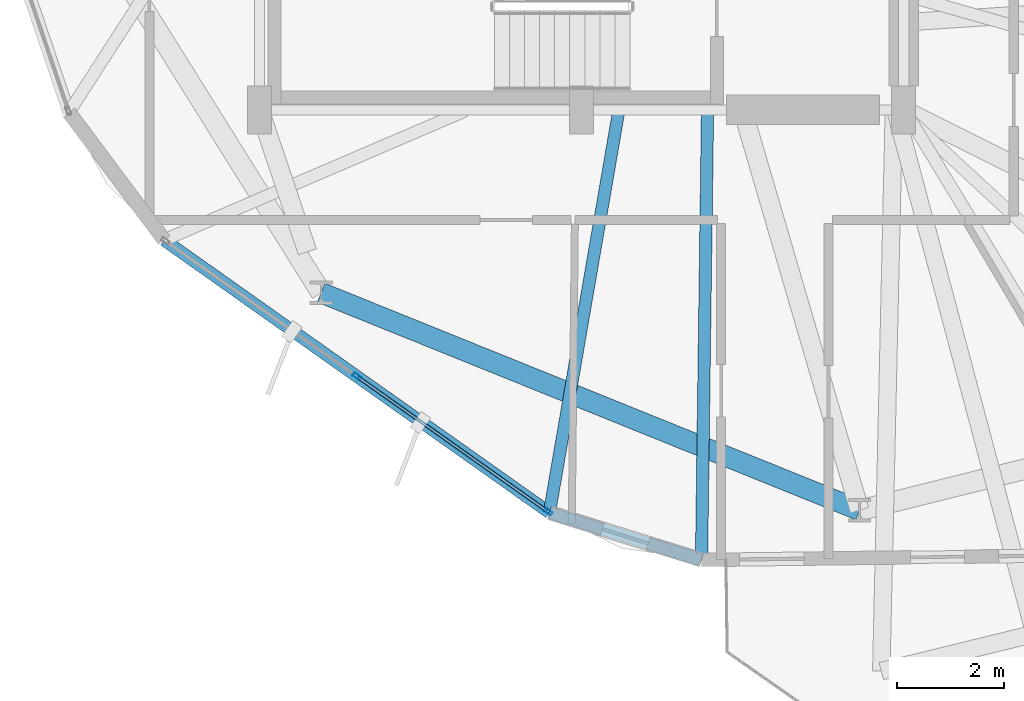
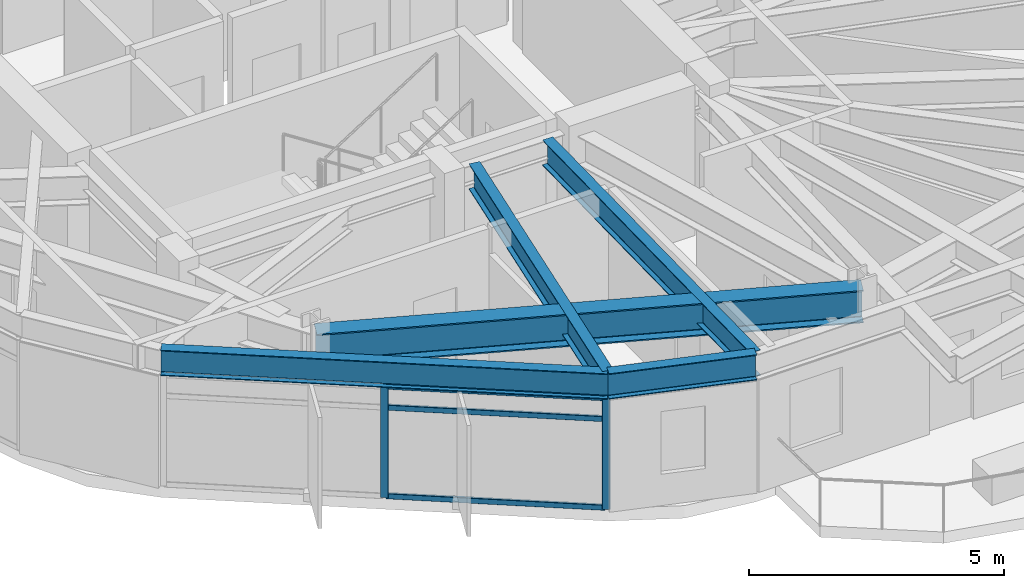
# One storey, part 2 of 27: 5 beams, 5 members, 1 element without a shape of its own.
"""IFC4 building model written with IfcOpenShell, lengths in metres."""

from ifc_helpers import new_model, si_unit, direction, frame, origin, origin_2d, place, context, subcontext, project, spatial, hollow_rectangle, i_section, extrude, material, layer, layer_set, material_profile, profile_set, type_object, element, aggregate, save


model = new_model("IFC4")

# Units and contexts
model_context = context("Model", 3, precision=1e-05, world=origin(), true_north=direction((0.0, 1.0)))
body_context = subcontext(model_context, "Body", "Model", "MODEL_VIEW")
ifc_project = project(units=[si_unit("LENGTHUNIT", "METRE"), si_unit("AREAUNIT", "SQUARE_METRE"), si_unit("VOLUMEUNIT", "CUBIC_METRE"), si_unit("PLANEANGLEUNIT", "RADIAN"), si_unit("MASSUNIT", "GRAM", prefix="KILO")], contexts=[model_context])

# Site, building, storey
site_placement = place(None, origin())
site = spatial("IfcSite", under=ifc_project, at=site_placement, CompositionType="ELEMENT")
building_placement = place(site_placement, origin())
building = spatial("IfcBuilding", under=site, at=building_placement, Name="Soratama Intermodal Tower", CompositionType="ELEMENT")
storey_placement = place(building_placement, frame((0.0, 0.0, 167.800048828125)))
storey = spatial("IfcBuildingStorey", under=building, at=storey_placement, Name="L41", CompositionType="ELEMENT", Elevation=167.800048828125)

# Beams
ifc_material_1 = material(Name="Structural steel ASTM A992 Grade 50", Category="steel")
ifc_material_profile_1 = material_profile(ifc_material_1, i_section(OverallWidth=0.382080078125, OverallDepth=0.779052734375, WebThickness=0.01806640625, FlangeThickness=0.030029296875, FilletRadius=0.01806640625, at=origin_2d()), Name="W30X191")
ifc_profile_set_1 = profile_set([ifc_material_profile_1], Name="Structural steel ASTM A992 Grade 50")
beam_type_1 = type_object("IfcBeamType", Name="BM-RING-W30X191", PredefinedType="BEAM", material=ifc_profile_set_1)
beam_1_placement = place(storey_placement, frame((33.7509765625, 11.593994140625, 2.910400390625), z_axis=(0.927202491827, -0.374560461275, 0.0), x_axis=(0.374560461275, 0.927202491827, 0.0)))
element("IfcBeam", 1, at=beam_1_placement, inside=storey, type_object=beam_type_1, Name="BM-L41-RING-07", PredefinedType="BEAM", context=body_context, shape_type="SweptSolid", body=[
    extrude(i_section(OverallWidth=0.382080078125, OverallDepth=0.779052734375, WebThickness=0.01806640625, FlangeThickness=0.030029296875, FilletRadius=0.01806640625, at=origin_2d()), origin(), (0.0, 0.0, 1.0), 10.8154296875),
])
ifc_material_2 = material(Name="Structural steel ASTM A992 Grade 50", Category="steel")
ifc_material_profile_2 = material_profile(ifc_material_2, i_section(OverallWidth=0.22900390625, OverallDepth=0.612060546875, WebThickness=0.011962890625, FlangeThickness=0.01953125, FilletRadius=0.012939453125, at=origin_2d()), Name="W24X84")
ifc_profile_set_2 = profile_set([ifc_material_profile_2], Name="Structural steel ASTM A992 Grade 50")
beam_type_2 = type_object("IfcBeamType", Name="BM-SPN-W24X84", PredefinedType="SPANDREL", material=ifc_profile_set_2)
beam_2_placement = place(storey_placement, frame((30.824951171875, 12.575927734375, 2.993896484375), z_axis=(0.816337080444, -0.577575770866, 0.0), x_axis=(0.577575770866, 0.816337080444, 0.0)))
element("IfcBeam", 2, at=beam_2_placement, inside=storey, type_object=beam_type_2, Name="BS-L41-F06", PredefinedType="SPANDREL", context=body_context, shape_type="SweptSolid", body=[
    extrude(i_section(OverallWidth=0.22900390625, OverallDepth=0.612060546875, WebThickness=0.011962890625, FlangeThickness=0.01953125, FilletRadius=0.012939453125, at=origin_2d()), origin(), (0.0, 0.0, 1.0), 8.791748046875),
])
beam_3_placement = place(storey_placement, frame((38.001953125, 7.498046875, 2.993896484375), z_axis=(0.954883226596, -0.296981520578, 0.0), x_axis=(0.296981520578, 0.954883226596, 0.0)))
element("IfcBeam", 3, at=beam_3_placement, inside=storey, type_object=beam_type_2, Name="BS-L41-CRN06", PredefinedType="SPANDREL", context=body_context, shape_type="SweptSolid", body=[
    extrude(i_section(OverallWidth=0.22900390625, OverallDepth=0.612060546875, WebThickness=0.011962890625, FlangeThickness=0.01953125, FilletRadius=0.012939453125, at=origin_2d()), origin(), (0.0, 0.0, 1.0), 2.966796875),
])
ifc_material_3 = material(Name="Structural steel ASTM A992 Grade 50", Category="steel")
ifc_material_profile_3 = material_profile(ifc_material_3, i_section(OverallWidth=0.22900390625, OverallDepth=0.612060546875, WebThickness=0.011962890625, FlangeThickness=0.01953125, FilletRadius=0.012939453125, at=origin_2d()), Name="W24X84")
ifc_profile_set_3 = profile_set([ifc_material_profile_3], Name="Structural steel ASTM A992 Grade 50")
beam_type_3 = type_object("IfcBeamType", Name="BM-TIE-W24X84", PredefinedType="BEAM", material=ifc_profile_set_3)
beam_4_placement = place(storey_placement, frame((39.2900390625, 14.9609375, 2.993896484375), z_axis=(-0.170083958299, -0.985429574921, 0.0), x_axis=(0.985429574921, -0.170083958299, 0.0)))
element("IfcBeam", 4, at=beam_4_placement, inside=storey, type_object=beam_type_3, Name="BM-L41-TIE1-06", PredefinedType="BEAM", context=body_context, shape_type="SweptSolid", body=[
    extrude(i_section(OverallWidth=0.22900390625, OverallDepth=0.612060546875, WebThickness=0.011962890625, FlangeThickness=0.01953125, FilletRadius=0.012939453125, at=origin_2d()), origin(), (0.0, 0.0, 1.0), 7.5732421875),
])
beam_5_placement = place(storey_placement, frame((40.946044921875, 14.9599609375, 2.993896484375), z_axis=(-0.013313425056, -0.999911372429, 0.0), x_axis=(0.999911372429, -0.013313425056, 0.0)))
element("IfcBeam", 5, at=beam_5_placement, inside=storey, type_object=beam_type_3, Name="BM-L41-TIE0-07", PredefinedType="BEAM", context=body_context, shape_type="SweptSolid", body=[
    extrude(i_section(OverallWidth=0.22900390625, OverallDepth=0.612060546875, WebThickness=0.011962890625, FlangeThickness=0.01953125, FilletRadius=0.012939453125, at=origin_2d()), origin(), (0.0, 0.0, 1.0), 8.34375),
])

# Curtain wall, members
ifc_material_4 = material(Name="Double-glazed aluminium curtain wall", Category="aluminium")
ifc_layer = layer(ifc_material_4, 0.159912109375)
ifc_layer_set = layer_set([ifc_layer], Name="Double-glazed aluminium curtain wall")
curtain_wall_type = type_object("IfcCurtainWallType", Name="CW-SYS-4", PredefinedType="NOTDEFINED", material=ifc_layer_set)
curtain_wall_placement = place(storey_placement, origin())
curtain_wall = element("IfcCurtainWall", 6, at=curtain_wall_placement, inside=storey, type_object=curtain_wall_type, Name="L41 Faceted Curtain Wall F06", PredefinedType="NOTDEFINED")
ifc_material_5 = material(Name="Anodised aluminium AA 6063-T6", Category="aluminium")
ifc_material_profile_4 = material_profile(ifc_material_5, hollow_rectangle(XDim=0.070068359375, YDim=0.159912109375, WallThickness=0.0048828125, InnerFilletRadius=0.0048828125, OuterFilletRadius=0.010009765625, at=origin_2d()), Name="CWM160X70X5")
ifc_profile_set_4 = profile_set([ifc_material_profile_4], Name="Anodised aluminium AA 6063-T6")
member_type_1 = type_object("IfcMemberType", Name="MT-CWM-4", PredefinedType="MULLION", material=ifc_profile_set_4)
member_1_placement = place(storey_placement, frame((34.41357421875, 10.037353515625, 0.0), z_axis=(0.0, 0.0, 1.0), x_axis=(0.577564383542, 0.816345137098, 0.0)))
member_1 = element("IfcMember", 7, at=member_1_placement, type_object=member_type_1, Name="CW-4 mullion 2", PredefinedType="MULLION", context=body_context, shape_type="SweptSolid", body=[
    extrude(hollow_rectangle(XDim=0.070068359375, YDim=0.159912109375, WallThickness=0.0048828125, InnerFilletRadius=0.0048828125, OuterFilletRadius=0.010009765625, at=origin_2d()), origin(), (0.0, 0.0, 1.0), 2.678955078125),
])
member_2_placement = place(storey_placement, frame((37.977783203125, 7.515625, 0.0), z_axis=(0.0, 0.0, 1.0), x_axis=(0.577564383542, 0.816345137098, 0.0)))
member_2 = element("IfcMember", 8, at=member_2_placement, type_object=member_type_1, Name="CW-4 mullion 3", PredefinedType="MULLION", context=body_context, shape_type="SweptSolid", body=[
    extrude(hollow_rectangle(XDim=0.070068359375, YDim=0.159912109375, WallThickness=0.0048828125, InnerFilletRadius=0.0048828125, OuterFilletRadius=0.010009765625, at=origin_2d()), origin(), (0.0, 0.0, 1.0), 2.678955078125),
])
ifc_material_6 = material(Name="Anodised aluminium AA 6063-T6", Category="aluminium")
ifc_material_profile_5 = material_profile(ifc_material_6, hollow_rectangle(XDim=0.06005859375, YDim=0.1298828125, WallThickness=0.0048828125, InnerFilletRadius=0.0048828125, OuterFilletRadius=0.010009765625, at=origin_2d()), Name="CWT130X60X5")
ifc_profile_set_5 = profile_set([ifc_material_profile_5], Name="Anodised aluminium AA 6063-T6")
member_type_2 = type_object("IfcMemberType", Name="TT-CWT-2", PredefinedType="USERDEFINED", material=ifc_profile_set_5)
member_3_placement = place(storey_placement, frame((34.438232421875, 10.02001953125, 0.030029296875), z_axis=(0.816315221198, -0.577606665163, 0.0), x_axis=(0.577606665163, 0.816315221198, 0.0)))
member_3 = element("IfcMember", 9, at=member_3_placement, type_object=member_type_2, Name="CW-4 transom 2.1", ObjectType="TRANSOM", PredefinedType="USERDEFINED", context=body_context, shape_type="SweptSolid", body=[
    extrude(hollow_rectangle(XDim=0.06005859375, YDim=0.1298828125, WallThickness=0.0048828125, InnerFilletRadius=0.0048828125, OuterFilletRadius=0.010009765625, at=origin_2d()), origin(), (0.0, 0.0, 1.0), 4.305908203125),
])
member_4_placement = place(storey_placement, frame((34.438232421875, 10.02001953125, 2.14990234375), z_axis=(0.816315221198, -0.577606665163, 0.0), x_axis=(0.577606665163, 0.816315221198, 0.0)))
member_4 = element("IfcMember", 10, at=member_4_placement, type_object=member_type_2, Name="CW-4 transom 2.2", ObjectType="TRANSOM", PredefinedType="USERDEFINED", context=body_context, shape_type="SweptSolid", body=[
    extrude(hollow_rectangle(XDim=0.06005859375, YDim=0.1298828125, WallThickness=0.0048828125, InnerFilletRadius=0.0048828125, OuterFilletRadius=0.010009765625, at=origin_2d()), origin(), (0.0, 0.0, 1.0), 4.305908203125),
])
member_5_placement = place(storey_placement, frame((34.438232421875, 10.02001953125, 2.64892578125), z_axis=(0.816315221198, -0.577606665163, 0.0), x_axis=(0.577606665163, 0.816315221198, 0.0)))
member_5 = element("IfcMember", 11, at=member_5_placement, type_object=member_type_2, Name="CW-4 transom 2.3", ObjectType="TRANSOM", PredefinedType="USERDEFINED", context=body_context, shape_type="SweptSolid", body=[
    extrude(hollow_rectangle(XDim=0.06005859375, YDim=0.1298828125, WallThickness=0.0048828125, InnerFilletRadius=0.0048828125, OuterFilletRadius=0.010009765625, at=origin_2d()), origin(), (0.0, 0.0, 1.0), 4.305908203125),
])
aggregate(curtain_wall, [member_1, member_2, member_3, member_4, member_5])

save(model, "model.ifc")
